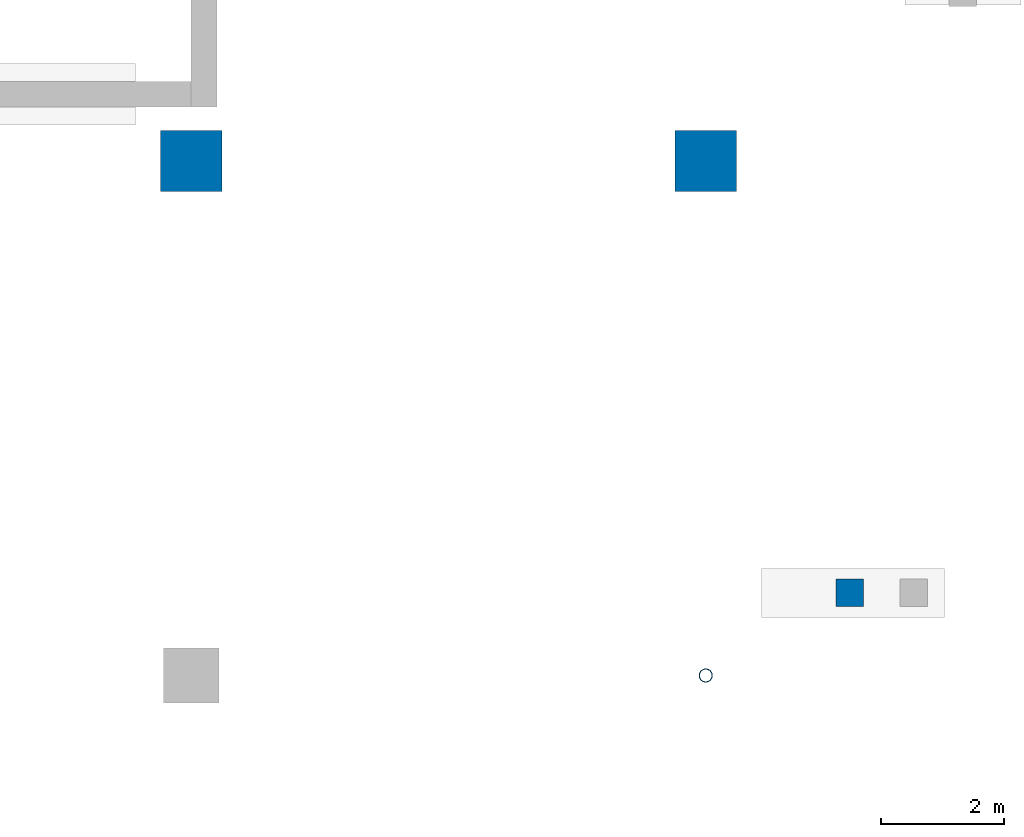
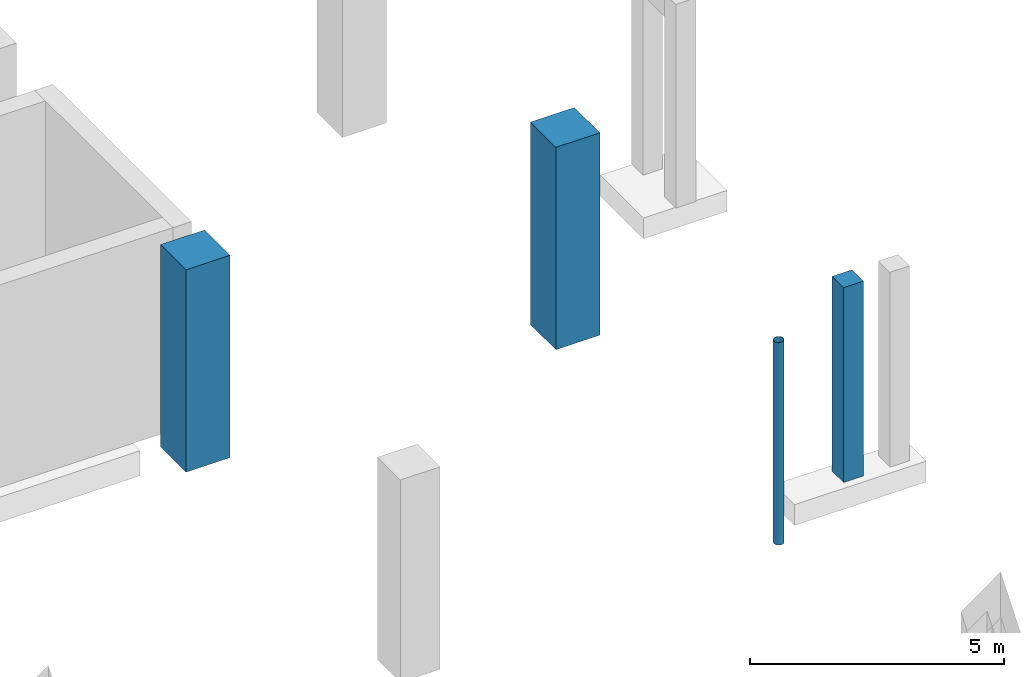
# One storey, part 11 of 39: 4 columns.
"""IFC4 building model written with IfcOpenShell, lengths in metres."""

import ifcopenshell
import ifcopenshell.guid

model = None  # the IFC model being written
_history = None  # IfcOwnerHistory: only IFC2X3 demands one
_inside = {}  # id of a spatial element -> (the spatial element, [elements in it])
_under = {}  # id of a project, library or spatial element -> (it, [spatial elements below it])
_declared = {}  # id of a project -> (the project, [libraries it declares])
_typed = {}  # id of a type object -> (the type object, [elements of that type])
_made_of = {}  # id of a material, layer set ... -> (it, [elements and type objects made of it])


def new_model(schema):
    """Start an empty IFC model of exactly this schema.

    Asked for "IFC4X3", IfcOpenShell would pick the latest addendum, in which some entities
    have other attributes; the version numbers below select the first issue.
    IFC2X3 requires an IfcOwnerHistory on every rooted entity: one is made here for all.
    """
    global model, _history
    if schema == "IFC4X3":
        model = ifcopenshell.file(schema_version=(4, 3, 0, 0))
    else:
        model = ifcopenshell.file(schema=schema)
    _inside.clear()
    _under.clear()
    _declared.clear()
    _typed.clear()
    _made_of.clear()
    _history = None
    if model.schema == "IFC2X3":
        org = make("IfcOrganization", Name="unknown")
        user = make(
            "IfcPersonAndOrganization",
            ThePerson=make("IfcPerson", FamilyName="unknown"),
            TheOrganization=org,
        )
        app = make(
            "IfcApplication",
            ApplicationDeveloper=org,
            Version="unknown",
            ApplicationFullName="unknown",
            ApplicationIdentifier="unknown",
        )
        _history = make(
            "IfcOwnerHistory",
            OwningUser=user,
            OwningApplication=app,
            ChangeAction="ADDED",
            CreationDate=0,
        )
    return model


def make(cls, **values):
    """One entity of the class cls with the attributes given. An attribute that is None is left unset."""
    return model.create_entity(
        cls, **{name: value for name, value in values.items() if value is not None}
    )


def rooted(cls, **values):
    """An entity with a GlobalId (a new one), such as an element, a storey or a relation."""
    return make(cls, GlobalId=ifcopenshell.guid.new(), OwnerHistory=_history, **values)


def si_unit(unit_type, name, prefix=None):
    """IfcSIUnit, for example si_unit("LENGTHUNIT", "METRE", prefix="MILLI")."""
    return make("IfcSIUnit", UnitType=unit_type, Prefix=prefix, Name=name)


def derived_unit(unit_type, elements):
    """IfcDerivedUnit: a product of units, each with its exponent."""
    return make(
        "IfcDerivedUnit",
        Elements=[
            make("IfcDerivedUnitElement", Unit=unit, Exponent=power)
            for unit, power in elements
        ],
        UnitType=unit_type,
    )


def assignment(units):
    """IfcUnitAssignment: the units of a project."""
    return None if units is None else make("IfcUnitAssignment", Units=units)


def point(xyz):
    """IfcCartesianPoint."""
    return None if xyz is None else make("IfcCartesianPoint", Coordinates=xyz)


def direction(xyz):
    """IfcDirection."""
    return None if xyz is None else make("IfcDirection", DirectionRatios=xyz)


def frame(location, z_axis=None, x_axis=None):
    """IfcAxis2Placement3D, a coordinate frame: its origin and axes. An axis left out is left unset."""
    return make(
        "IfcAxis2Placement3D",
        Location=point(location),
        Axis=direction(z_axis),
        RefDirection=direction(x_axis),
    )


def frame_2d(location, x_axis=None):
    """IfcAxis2Placement2D, a coordinate frame in the plane: its origin and x axis."""
    return make(
        "IfcAxis2Placement2D", Location=point(location), RefDirection=direction(x_axis)
    )


def origin():
    """The frame at (0, 0, 0) with its axes left unset."""
    return frame((0.0, 0.0, 0.0))


def origin_2d():
    """The frame at (0, 0) in the plane with its x axis left unset."""
    return frame_2d((0.0, 0.0))


def place(relative_to, where):
    """IfcLocalPlacement: puts the frame where relative to a parent placement (None: the world)."""
    return make(
        "IfcLocalPlacement", PlacementRelTo=relative_to, RelativePlacement=where
    )


def context(
    kind, dimensions, precision=None, world=None, true_north=None, identifier=None
):
    """IfcGeometricRepresentationContext, for example the 3D "Model" context."""
    return make(
        "IfcGeometricRepresentationContext",
        ContextIdentifier=identifier,
        ContextType=kind,
        CoordinateSpaceDimension=dimensions,
        Precision=precision,
        WorldCoordinateSystem=world,
        TrueNorth=true_north,
    )


def subcontext(parent, identifier, kind, view, scale=None):
    """IfcGeometricRepresentationSubContext, for example "Body" below "Model"."""
    return make(
        "IfcGeometricRepresentationSubContext",
        ContextIdentifier=identifier,
        ContextType=kind,
        ParentContext=parent,
        TargetScale=scale,
        TargetView=view,
    )


def project(units=None, contexts=None):
    """IfcProject with its units and contexts."""
    return rooted(
        "IfcProject",
        Name="project",
        RepresentationContexts=contexts,
        UnitsInContext=assignment(units),
    )


def spatial(cls, under=None, at=None, **own):
    """A site, building, storey or space (cls), placed at a placement, below another one or the project."""
    s = rooted(cls, ObjectPlacement=at, **own)
    if under is not None:
        _under.setdefault(under.id(), (under, []))[1].append(s)
    return s


def profile(cls, at=None, kind="AREA", **sizes):
    """A parametric profile (cls). Its sizes go by their IFC names, for example OverallWidth=200.0."""
    return make(cls, ProfileType=kind, Position=at, **sizes)


def rectangle(**sizes):
    """IfcRectangleProfileDef."""
    return profile("IfcRectangleProfileDef", **sizes)


def hollow_circle(**sizes):
    """IfcCircleHollowProfileDef."""
    return profile("IfcCircleHollowProfileDef", **sizes)


def extrude(swept, where, along, depth):
    """IfcExtrudedAreaSolid: the profile swept, set in the frame where, extruded along a direction by depth."""
    return make(
        "IfcExtrudedAreaSolid",
        SweptArea=swept,
        Position=where,
        ExtrudedDirection=direction(along),
        Depth=depth,
    )


def shape(context_of_items, identifier, shape_type, items):
    """IfcShapeRepresentation: the items that make up one representation, for example the "Body"."""
    return make(
        "IfcShapeRepresentation",
        ContextOfItems=context_of_items,
        RepresentationIdentifier=identifier,
        RepresentationType=shape_type,
        Items=items,
    )


def material(Name=None, Category=None):
    """IfcMaterial."""
    return make("IfcMaterial", Name=Name, Category=Category)


def material_profile(
    of_material, cross_section, Name=None, Category=None, Priority=None
):
    """IfcMaterialProfile: a cross section and its material."""
    return make(
        "IfcMaterialProfile",
        Name=Name,
        Material=of_material,
        Profile=cross_section,
        Priority=Priority,
        Category=Category,
    )


def profile_set(profiles, Name=None, composite=None):
    """IfcMaterialProfileSet."""
    return make(
        "IfcMaterialProfileSet",
        Name=Name,
        MaterialProfiles=profiles,
        CompositeProfile=composite,
    )


def made_of(thing, what):
    """Note that an element or type object is made of a material, layer set ...; save() writes the relation."""
    if what is not None:
        _made_of.setdefault(what.id(), (what, []))[1].append(thing)
    return thing


def type_object(cls, material=None, **own):
    """A type object (cls), such as IfcWallType, which elements share."""
    return made_of(rooted(cls, **own), material)


def element(
    cls,
    number,
    at=None,
    inside=None,
    cuts=None,
    type_object=None,
    material=None,
    context=None,
    identifier="Body",
    shape_type=None,
    held_by="IfcProductDefinitionShape",
    body=None,
    shapes=None,
    **own,
):
    """One element of the class cls, such as IfcWall. Its Tag is "e" and its number.

    at: its placement. inside: the storey or other place that contains it. cuts: it is an
    opening in that element (IfcRelVoidsElement). A single representation is given by context,
    identifier, shape_type and body (its items); several are given by shapes. held_by: the class
    of the entity that holds the representations. save() writes the other relations.
    """
    e = rooted(cls, Tag="e%d" % number, ObjectPlacement=at, **own)
    if body is not None:
        shapes = [shape(context, identifier, shape_type, body)]
    if shapes is not None:
        e.Representation = make(held_by, Representations=shapes)
    if inside is not None:
        _inside.setdefault(inside.id(), (inside, []))[1].append(e)
    if cuts is not None:
        rooted(
            "IfcRelVoidsElement", RelatingBuildingElement=cuts, RelatedOpeningElement=e
        )
    if type_object is not None:
        _typed.setdefault(type_object.id(), (type_object, []))[1].append(e)
    return made_of(e, material)


def aggregate(whole, parts):
    """IfcRelAggregates: a whole, such as a stair, and the parts it consists of."""
    return rooted("IfcRelAggregates", RelatingObject=whole, RelatedObjects=parts)


def save(model, path):
    """Write the relations noted so far, then the file.

    IfcRelAggregates (storeys below a building ...), IfcRelContainedInSpatialStructure (elements
    in a storey), IfcRelDefinesByType, IfcRelAssociatesMaterial and IfcRelDeclares: one each for
    every whole, place, type object, material and project.
    """
    for whole, parts in _under.values():
        aggregate(whole, parts)
    for where, things in _inside.values():
        rooted(
            "IfcRelContainedInSpatialStructure",
            RelatedElements=things,
            RelatingStructure=where,
        )
    for kind, things in _typed.values():
        rooted("IfcRelDefinesByType", RelatedObjects=things, RelatingType=kind)
    for what, things in _made_of.values():
        rooted("IfcRelAssociatesMaterial", RelatedObjects=things, RelatingMaterial=what)
    for by, libraries in _declared.values():
        rooted("IfcRelDeclares", RelatingContext=by, RelatedDefinitions=libraries)
    model.write(path)


model = new_model("IFC4")

# Units and contexts
model_context = context("Model", 3, precision=1e-05, world=origin(), true_north=direction((0.0, 1.0)))
body_context = subcontext(model_context, "Body", "Model", "MODEL_VIEW")
ifc_project = project(units=[si_unit("LENGTHUNIT", "METRE"), si_unit("AREAUNIT", "SQUARE_METRE"), si_unit("VOLUMEUNIT", "CUBIC_METRE"), si_unit("PLANEANGLEUNIT", "RADIAN"), si_unit("MASSUNIT", "GRAM", prefix="KILO"), derived_unit("THERMALTRANSMITTANCEUNIT", [(si_unit("POWERUNIT", "WATT"), 1), (si_unit("LENGTHUNIT", "METRE"), -2), (si_unit("THERMODYNAMICTEMPERATUREUNIT", "KELVIN"), -1)])], contexts=[model_context])

# Site, building, storey
site_placement = place(None, origin())
site = spatial("IfcSite", under=ifc_project, at=site_placement, CompositionType="ELEMENT")
building_placement = place(site_placement, origin())
building = spatial("IfcBuilding", under=site, at=building_placement, Name="Barrovel Congress Hotel", CompositionType="ELEMENT")
storey_placement = place(building_placement, frame((0.0, 0.0, -4.5)))
storey = spatial("IfcBuildingStorey", under=building, at=storey_placement, Name="B01", CompositionType="ELEMENT", Elevation=-4.5)

# Columns
ifc_material_1 = material(Name="Concrete C50", Category="concrete")
ifc_material_profile_1 = material_profile(ifc_material_1, rectangle(XDim=1.0, YDim=1.0, at=origin_2d()), Name="RC1000x1000")
ifc_profile_set_1 = profile_set([ifc_material_profile_1], Name="Concrete C50")
column_type_1 = type_object("IfcColumnType", Name="COL-RC1000x1000", PredefinedType="COLUMN", material=ifc_profile_set_1)
for number, where, z_axis, x_axis, name in (
    (1, (50.39990234375, 54.60009765625, -0.360107421875), (0.0, 0.0, 1.0), (1.0, 0.0, 0.0), "COL:B01:50.4:54.6"),
    (2, (58.800048828125, 54.60009765625, -0.360107421875), (0.0, 0.0, 1.0), (1.0, 0.0, 0.0), "COL:B01:58.8:54.6"),
):
    element("IfcColumn", number, at=place(storey_placement, frame(where, z_axis=z_axis, x_axis=x_axis)), inside=storey, type_object=column_type_1, Name=name, PredefinedType="COLUMN", context=body_context, shape_type="SweptSolid", body=[
        extrude(rectangle(XDim=1.0, YDim=1.0, at=origin_2d()), origin(), (0.0, 0.0, 1.0), 4.860107421875),
    ])
ifc_material_2 = material(Name="Concrete C40", Category="concrete")
ifc_material_profile_2 = material_profile(ifc_material_2, rectangle(XDim=0.449951171875, YDim=0.449951171875, at=origin_2d()), Name="RC450x450")
ifc_profile_set_2 = profile_set([ifc_material_profile_2], Name="Concrete C40")
column_type_2 = type_object("IfcColumnType", Name="COL-RC450x450", PredefinedType="COLUMN", material=ifc_profile_set_2)
column_1_placement = place(storey_placement, frame((61.14990234375, 47.550048828125, -0.360107421875), z_axis=(0.0, 0.0, 1.0), x_axis=(1.0, 0.0, 0.0)))
element("IfcColumn", 3, at=column_1_placement, inside=storey, type_object=column_type_2, Name="COL:PAV-COURT-WALK-W:1", PredefinedType="COLUMN", context=body_context, shape_type="SweptSolid", body=[
    extrude(rectangle(XDim=0.449951171875, YDim=0.449951171875, at=origin_2d()), origin(), (0.0, 0.0, 1.0), 4.68017578125),
])
ifc_material_3 = material(Name="Steel ASTM A500 Grade C", Category="steel")
ifc_material_profile_3 = material_profile(ifc_material_3, hollow_circle(Radius=0.109619140625, WallThickness=0.0087890625, at=origin_2d()), Name="CHS219.1x9.5")
ifc_profile_set_3 = profile_set([ifc_material_profile_3], Name="Steel ASTM A500 Grade C")
column_type_3 = type_object("IfcColumnType", Name="SCOL-CHS219.1x9.5", PredefinedType="COLUMN", material=ifc_profile_set_3)
column_2_placement = place(storey_placement, frame((58.800048828125, 46.199951171875, -0.360107421875), z_axis=(0.0, 0.0, 1.0), x_axis=(1.0, 0.0, 0.0)))
element("IfcColumn", 4, at=column_2_placement, inside=storey, type_object=column_type_3, Name="COL:B01:58.8:46.2", PredefinedType="COLUMN", context=body_context, shape_type="SweptSolid", body=[
    extrude(hollow_circle(Radius=0.109619140625, WallThickness=0.0087890625, at=origin_2d()), origin(), (0.0, 0.0, 1.0), 4.860107421875),
])

save(model, "model.ifc")
